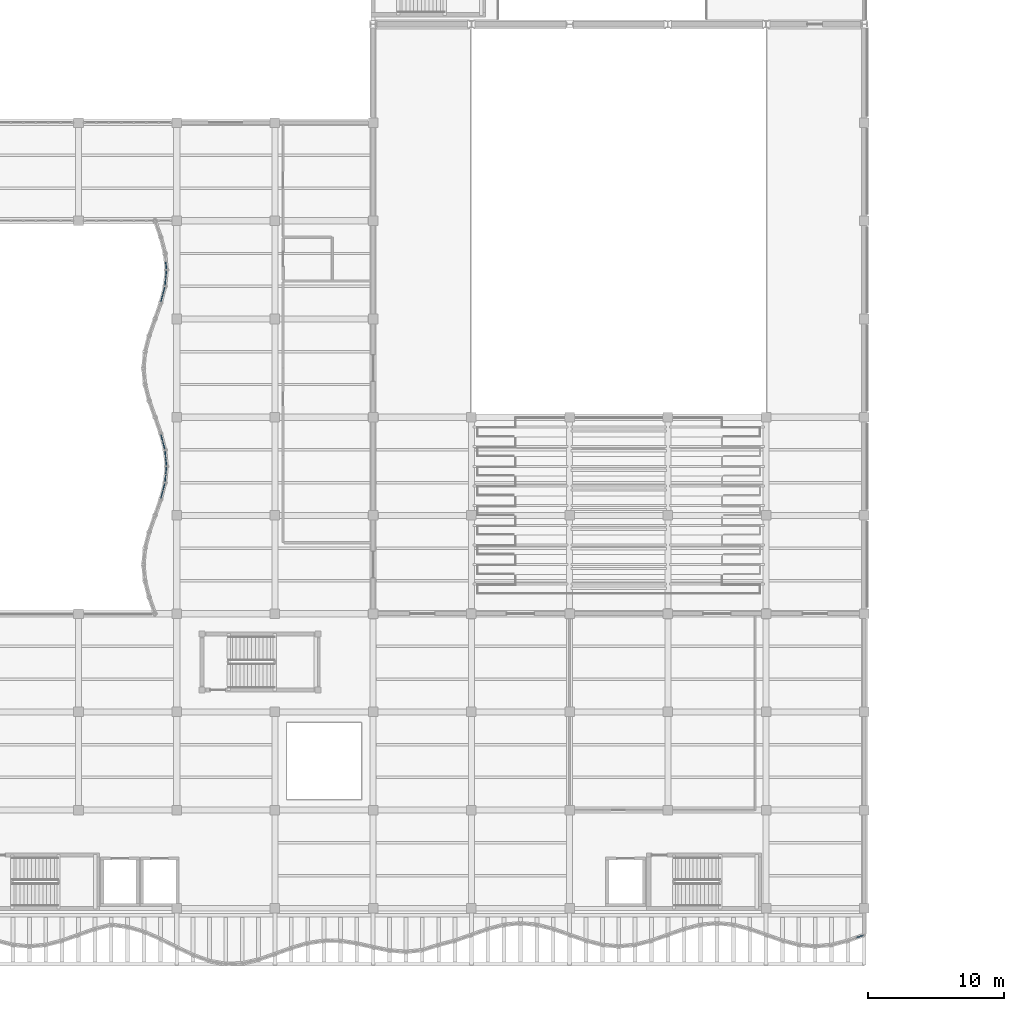
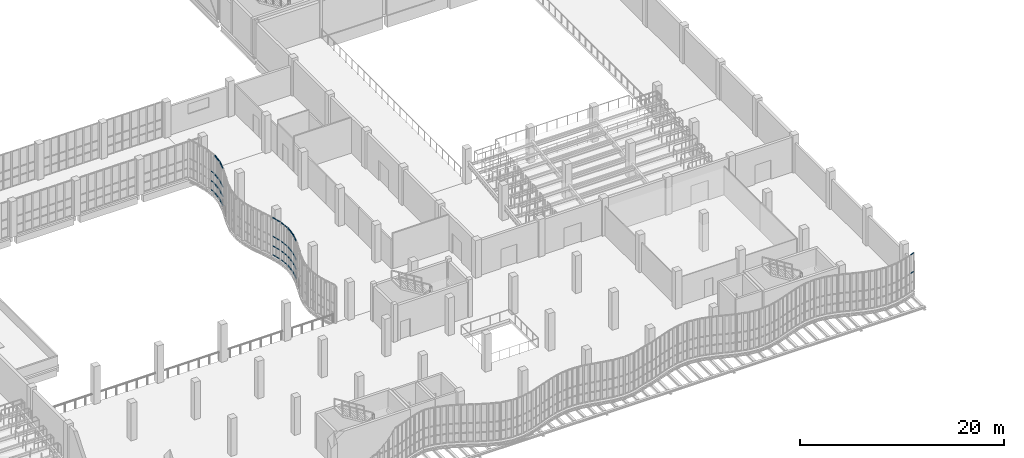
# One storey, part 64 of 108: 53 members, 8 elements without a shape of their own.
"""IFC4 building model written with IfcOpenShell, lengths in metres."""

from ifc_helpers import new_model, si_unit, direction, frame, origin, origin_2d, place, context, subcontext, project, spatial, hollow_rectangle, extrude, material, layer, layer_set, material_profile, profile_set, type_object, element, aggregate, save


model = new_model("IFC4")

# Units and contexts
model_context = context("Model", 3, precision=1e-05, world=origin(), true_north=direction((0.0, 1.0)))
body_context = subcontext(model_context, "Body", "Model", "MODEL_VIEW")
ifc_project = project(units=[si_unit("LENGTHUNIT", "METRE"), si_unit("AREAUNIT", "SQUARE_METRE"), si_unit("VOLUMEUNIT", "CUBIC_METRE"), si_unit("PLANEANGLEUNIT", "RADIAN"), si_unit("MASSUNIT", "GRAM", prefix="KILO"), si_unit("THERMODYNAMICTEMPERATUREUNIT", "KELVIN"), si_unit("POWERUNIT", "WATT")], contexts=[model_context])

# Site, building, storey
site_placement = place(None, origin())
site = spatial("IfcSite", under=ifc_project, at=site_placement, CompositionType="ELEMENT")
building_placement = place(site_placement, origin())
building = spatial("IfcBuilding", under=site, at=building_placement, Name="Kaldorven Railside Theatre", CompositionType="ELEMENT")
storey_placement = place(building_placement, frame((0.0, 0.0, 5.39990234375)))
storey = spatial("IfcBuildingStorey", under=building, at=storey_placement, Name="L01", CompositionType="ELEMENT", Elevation=5.39990234375)

# Curtain wall, members
ifc_material_1 = material(Name="Low-E laminated solar-control glass", Category="glass")
ifc_layer_1 = layer(ifc_material_1, 0.159912109375, Name="Low-E laminated solar-control glass")
ifc_layer_set_1 = layer_set([ifc_layer_1], Name="Low-E laminated solar-control glass")
curtain_wall_type_1 = type_object("IfcCurtainWallType", Name="CWT-01", PredefinedType="USERDEFINED", material=ifc_layer_set_1)
curtain_wall_1_placement = place(storey_placement, origin())
curtain_wall_1 = element("IfcCurtainWall", 1, at=curtain_wall_1_placement, inside=storey, type_object=curtain_wall_type_1, Name="Sinusoidal Fluted Curtain Wall CW-L01-S72", ObjectType="FLUTED GLAZING", PredefinedType="USERDEFINED")
ifc_material_2 = material(Name="Anodised bronze aluminium", Category="aluminium")
ifc_material_profile = material_profile(ifc_material_2, hollow_rectangle(XDim=0.06005859375, YDim=0.1201171875, WallThickness=0.0048828125, at=origin_2d()), Name="RHS 120x60x5")
ifc_profile_set = profile_set([ifc_material_profile], Name="Anodised bronze aluminium")
member_type = type_object("IfcMemberType", Name="CWT-120", PredefinedType="USERDEFINED", material=ifc_profile_set)
member_1_placement = place(storey_placement, frame((122.6376953125, 17.05078125, 2.25), z_axis=(0.942509408488, 0.334179614745, 0.0), x_axis=(-0.334179614745, 0.942509408488, 0.0)))
member_1 = element("IfcMember", 2, at=member_1_placement, type_object=member_type, Name="CW-L01-S72 transom 2.3", ObjectType="TRANSOM", PredefinedType="USERDEFINED", context=body_context, shape_type="SweptSolid", body=[
    extrude(hollow_rectangle(XDim=0.06005859375, YDim=0.1201171875, WallThickness=0.0048828125, at=origin_2d()), origin(), (0.0, 0.0, 1.0), 0.5166015625),
])
member_2_placement = place(storey_placement, frame((122.6376953125, 17.05078125, 4.47021484375), z_axis=(0.942509408488, 0.334179614745, 0.0), x_axis=(-0.334179614745, 0.942509408488, 0.0)))
member_2 = element("IfcMember", 3, at=member_2_placement, type_object=member_type, Name="CW-L01-S72 transom 2.4", ObjectType="TRANSOM", PredefinedType="USERDEFINED", context=body_context, shape_type="SweptSolid", body=[
    extrude(hollow_rectangle(XDim=0.06005859375, YDim=0.1201171875, WallThickness=0.0048828125, at=origin_2d()), origin(), (0.0, 0.0, 1.0), 0.5166015625),
])
aggregate(curtain_wall_1, [member_1, member_2])

ifc_layer_2 = layer(ifc_material_1, 0.159912109375, Name="Low-E laminated solar-control glass")
ifc_layer_set_2 = layer_set([ifc_layer_2], Name="Low-E laminated solar-control glass")
curtain_wall_type_2 = type_object("IfcCurtainWallType", Name="CWT-02", PredefinedType="USERDEFINED", material=ifc_layer_set_2)
curtain_wall_2_placement = place(storey_placement, origin())
curtain_wall_2 = element("IfcCurtainWall", 4, at=curtain_wall_2_placement, inside=storey, type_object=curtain_wall_type_2, Name="Sinusoidal Fluted Curtain Wall CW-L01-W08", ObjectType="FLUTED GLAZING", PredefinedType="USERDEFINED")
member_3_placement = place(storey_placement, frame((71.64501953125, 49.27734375, 0.030029296875), z_axis=(0.251029954561, 0.967979318949, 0.0), x_axis=(-0.967979318949, 0.251029954561, 0.0)))
member_3 = element("IfcMember", 5, at=member_3_placement, type_object=member_type, Name="CW-L01-W08 transom 1.1", ObjectType="TRANSOM", PredefinedType="USERDEFINED", context=body_context, shape_type="SweptSolid", body=[
    extrude(hollow_rectangle(XDim=0.06005859375, YDim=0.1201171875, WallThickness=0.0048828125, at=origin_2d()), origin(), (0.0, 0.0, 1.0), 0.5),
])
member_4_placement = place(storey_placement, frame((71.64501953125, 49.27734375, 1.10009765625), z_axis=(0.251029954561, 0.967979318949, 0.0), x_axis=(-0.967979318949, 0.251029954561, 0.0)))
member_4 = element("IfcMember", 6, at=member_4_placement, type_object=member_type, Name="CW-L01-W08 transom 1.2", ObjectType="TRANSOM", PredefinedType="USERDEFINED", context=body_context, shape_type="SweptSolid", body=[
    extrude(hollow_rectangle(XDim=0.06005859375, YDim=0.1201171875, WallThickness=0.0048828125, at=origin_2d()), origin(), (0.0, 0.0, 1.0), 0.5),
])
member_5_placement = place(storey_placement, frame((71.64501953125, 49.27734375, 2.25), z_axis=(0.251029954561, 0.967979318949, 0.0), x_axis=(-0.967979318949, 0.251029954561, 0.0)))
member_5 = element("IfcMember", 7, at=member_5_placement, type_object=member_type, Name="CW-L01-W08 transom 1.3", ObjectType="TRANSOM", PredefinedType="USERDEFINED", context=body_context, shape_type="SweptSolid", body=[
    extrude(hollow_rectangle(XDim=0.06005859375, YDim=0.1201171875, WallThickness=0.0048828125, at=origin_2d()), origin(), (0.0, 0.0, 1.0), 0.5),
])
member_6_placement = place(storey_placement, frame((71.64501953125, 49.27734375, 4.47021484375), z_axis=(0.251029954561, 0.967979318949, 0.0), x_axis=(-0.967979318949, 0.251029954561, 0.0)))
member_6 = element("IfcMember", 8, at=member_6_placement, type_object=member_type, Name="CW-L01-W08 transom 1.4", ObjectType="TRANSOM", PredefinedType="USERDEFINED", context=body_context, shape_type="SweptSolid", body=[
    extrude(hollow_rectangle(XDim=0.06005859375, YDim=0.1201171875, WallThickness=0.0048828125, at=origin_2d()), origin(), (0.0, 0.0, 1.0), 0.5),
])
member_7_placement = place(storey_placement, frame((71.79052734375, 49.838623046875, 0.030029296875), z_axis=(0.251029954561, 0.967979318949, 0.0), x_axis=(-0.967979318949, 0.251029954561, 0.0)))
member_7 = element("IfcMember", 9, at=member_7_placement, type_object=member_type, Name="CW-L01-W08 transom 2.1", ObjectType="TRANSOM", PredefinedType="USERDEFINED", context=body_context, shape_type="SweptSolid", body=[
    extrude(hollow_rectangle(XDim=0.06005859375, YDim=0.1201171875, WallThickness=0.0048828125, at=origin_2d()), origin(), (0.0, 0.0, 1.0), 0.5),
])
member_8_placement = place(storey_placement, frame((71.79052734375, 49.838623046875, 1.10009765625), z_axis=(0.251029954561, 0.967979318949, 0.0), x_axis=(-0.967979318949, 0.251029954561, 0.0)))
member_8 = element("IfcMember", 10, at=member_8_placement, type_object=member_type, Name="CW-L01-W08 transom 2.2", ObjectType="TRANSOM", PredefinedType="USERDEFINED", context=body_context, shape_type="SweptSolid", body=[
    extrude(hollow_rectangle(XDim=0.06005859375, YDim=0.1201171875, WallThickness=0.0048828125, at=origin_2d()), origin(), (0.0, 0.0, 1.0), 0.5),
])
member_9_placement = place(storey_placement, frame((71.79052734375, 49.838623046875, 2.25), z_axis=(0.251029954561, 0.967979318949, 0.0), x_axis=(-0.967979318949, 0.251029954561, 0.0)))
member_9 = element("IfcMember", 11, at=member_9_placement, type_object=member_type, Name="CW-L01-W08 transom 2.3", ObjectType="TRANSOM", PredefinedType="USERDEFINED", context=body_context, shape_type="SweptSolid", body=[
    extrude(hollow_rectangle(XDim=0.06005859375, YDim=0.1201171875, WallThickness=0.0048828125, at=origin_2d()), origin(), (0.0, 0.0, 1.0), 0.5),
])
member_10_placement = place(storey_placement, frame((71.79052734375, 49.838623046875, 4.47021484375), z_axis=(0.251029954561, 0.967979318949, 0.0), x_axis=(-0.967979318949, 0.251029954561, 0.0)))
member_10 = element("IfcMember", 12, at=member_10_placement, type_object=member_type, Name="CW-L01-W08 transom 2.4", ObjectType="TRANSOM", PredefinedType="USERDEFINED", context=body_context, shape_type="SweptSolid", body=[
    extrude(hollow_rectangle(XDim=0.06005859375, YDim=0.1201171875, WallThickness=0.0048828125, at=origin_2d()), origin(), (0.0, 0.0, 1.0), 0.5),
])
aggregate(curtain_wall_2, [member_3, member_4, member_5, member_6, member_7, member_8, member_9, member_10])

ifc_layer_3 = layer(ifc_material_1, 0.159912109375, Name="Low-E laminated solar-control glass")
ifc_layer_set_3 = layer_set([ifc_layer_3], Name="Low-E laminated solar-control glass")
curtain_wall_type_3 = type_object("IfcCurtainWallType", Name="CWT-03", PredefinedType="USERDEFINED", material=ifc_layer_set_3)
curtain_wall_3_placement = place(storey_placement, origin())
curtain_wall_3 = element("IfcCurtainWall", 13, at=curtain_wall_3_placement, inside=storey, type_object=curtain_wall_type_3, Name="Sinusoidal Fluted Curtain Wall CW-L01-W09", ObjectType="FLUTED GLAZING", PredefinedType="USERDEFINED")
member_11_placement = place(storey_placement, frame((71.943603515625, 50.479736328125, 0.030029296875), z_axis=(0.094594245591, 0.995515910823, 0.0), x_axis=(-0.995515910823, 0.094594245591, 0.0)))
member_11 = element("IfcMember", 14, at=member_11_placement, type_object=member_type, Name="CW-L01-W09 transom 1.1", ObjectType="TRANSOM", PredefinedType="USERDEFINED", context=body_context, shape_type="SweptSolid", body=[
    extrude(hollow_rectangle(XDim=0.06005859375, YDim=0.1201171875, WallThickness=0.0048828125, at=origin_2d()), origin(), (0.0, 0.0, 1.0), 0.482666015625),
])
member_12_placement = place(storey_placement, frame((71.943603515625, 50.479736328125, 1.10009765625), z_axis=(0.094594245591, 0.995515910823, 0.0), x_axis=(-0.995515910823, 0.094594245591, 0.0)))
member_12 = element("IfcMember", 15, at=member_12_placement, type_object=member_type, Name="CW-L01-W09 transom 1.2", ObjectType="TRANSOM", PredefinedType="USERDEFINED", context=body_context, shape_type="SweptSolid", body=[
    extrude(hollow_rectangle(XDim=0.06005859375, YDim=0.1201171875, WallThickness=0.0048828125, at=origin_2d()), origin(), (0.0, 0.0, 1.0), 0.482666015625),
])
member_13_placement = place(storey_placement, frame((71.943603515625, 50.479736328125, 2.25), z_axis=(0.094594245591, 0.995515910823, 0.0), x_axis=(-0.995515910823, 0.094594245591, 0.0)))
member_13 = element("IfcMember", 16, at=member_13_placement, type_object=member_type, Name="CW-L01-W09 transom 1.3", ObjectType="TRANSOM", PredefinedType="USERDEFINED", context=body_context, shape_type="SweptSolid", body=[
    extrude(hollow_rectangle(XDim=0.06005859375, YDim=0.1201171875, WallThickness=0.0048828125, at=origin_2d()), origin(), (0.0, 0.0, 1.0), 0.482666015625),
])
member_14_placement = place(storey_placement, frame((71.943603515625, 50.479736328125, 4.47021484375), z_axis=(0.094594245591, 0.995515910823, 0.0), x_axis=(-0.995515910823, 0.094594245591, 0.0)))
member_14 = element("IfcMember", 17, at=member_14_placement, type_object=member_type, Name="CW-L01-W09 transom 1.4", ObjectType="TRANSOM", PredefinedType="USERDEFINED", context=body_context, shape_type="SweptSolid", body=[
    extrude(hollow_rectangle(XDim=0.06005859375, YDim=0.1201171875, WallThickness=0.0048828125, at=origin_2d()), origin(), (0.0, 0.0, 1.0), 0.482666015625),
])
member_15_placement = place(storey_placement, frame((71.996826171875, 51.039794921875, 0.030029296875), z_axis=(0.094594245591, 0.995515910823, 0.0), x_axis=(-0.995515910823, 0.094594245591, 0.0)))
member_15 = element("IfcMember", 18, at=member_15_placement, type_object=member_type, Name="CW-L01-W09 transom 2.1", ObjectType="TRANSOM", PredefinedType="USERDEFINED", context=body_context, shape_type="SweptSolid", body=[
    extrude(hollow_rectangle(XDim=0.06005859375, YDim=0.1201171875, WallThickness=0.0048828125, at=origin_2d()), origin(), (0.0, 0.0, 1.0), 0.482666015625),
])
member_16_placement = place(storey_placement, frame((71.996826171875, 51.039794921875, 1.10009765625), z_axis=(0.094594245591, 0.995515910823, 0.0), x_axis=(-0.995515910823, 0.094594245591, 0.0)))
member_16 = element("IfcMember", 19, at=member_16_placement, type_object=member_type, Name="CW-L01-W09 transom 2.2", ObjectType="TRANSOM", PredefinedType="USERDEFINED", context=body_context, shape_type="SweptSolid", body=[
    extrude(hollow_rectangle(XDim=0.06005859375, YDim=0.1201171875, WallThickness=0.0048828125, at=origin_2d()), origin(), (0.0, 0.0, 1.0), 0.482666015625),
])
member_17_placement = place(storey_placement, frame((71.996826171875, 51.039794921875, 2.25), z_axis=(0.094594245591, 0.995515910823, 0.0), x_axis=(-0.995515910823, 0.094594245591, 0.0)))
member_17 = element("IfcMember", 20, at=member_17_placement, type_object=member_type, Name="CW-L01-W09 transom 2.3", ObjectType="TRANSOM", PredefinedType="USERDEFINED", context=body_context, shape_type="SweptSolid", body=[
    extrude(hollow_rectangle(XDim=0.06005859375, YDim=0.1201171875, WallThickness=0.0048828125, at=origin_2d()), origin(), (0.0, 0.0, 1.0), 0.482666015625),
])
member_18_placement = place(storey_placement, frame((71.996826171875, 51.039794921875, 4.47021484375), z_axis=(0.094594245591, 0.995515910823, 0.0), x_axis=(-0.995515910823, 0.094594245591, 0.0)))
member_18 = element("IfcMember", 21, at=member_18_placement, type_object=member_type, Name="CW-L01-W09 transom 2.4", ObjectType="TRANSOM", PredefinedType="USERDEFINED", context=body_context, shape_type="SweptSolid", body=[
    extrude(hollow_rectangle(XDim=0.06005859375, YDim=0.1201171875, WallThickness=0.0048828125, at=origin_2d()), origin(), (0.0, 0.0, 1.0), 0.482666015625),
])
aggregate(curtain_wall_3, [member_11, member_12, member_13, member_14, member_15, member_16, member_17, member_18])

curtain_wall_4_placement = place(storey_placement, origin())
curtain_wall_4 = element("IfcCurtainWall", 22, at=curtain_wall_4_placement, inside=storey, type_object=curtain_wall_type_3, Name="Sinusoidal Fluted Curtain Wall CW-L01-W10", ObjectType="FLUTED GLAZING", PredefinedType="USERDEFINED")
member_19_placement = place(storey_placement, frame((72.04248046875, 51.6796875, 0.030029296875), z_axis=(-0.094594245591, 0.995515910823, 0.0), x_axis=(-0.995515910823, -0.094594245591, 0.0)))
member_19 = element("IfcMember", 23, at=member_19_placement, type_object=member_type, Name="CW-L01-W10 transom 1.1", ObjectType="TRANSOM", PredefinedType="USERDEFINED", context=body_context, shape_type="SweptSolid", body=[
    extrude(hollow_rectangle(XDim=0.06005859375, YDim=0.1201171875, WallThickness=0.0048828125, at=origin_2d()), origin(), (0.0, 0.0, 1.0), 0.482666015625),
])
member_20_placement = place(storey_placement, frame((72.04248046875, 51.6796875, 1.10009765625), z_axis=(-0.094594245591, 0.995515910823, 0.0), x_axis=(-0.995515910823, -0.094594245591, 0.0)))
member_20 = element("IfcMember", 24, at=member_20_placement, type_object=member_type, Name="CW-L01-W10 transom 1.2", ObjectType="TRANSOM", PredefinedType="USERDEFINED", context=body_context, shape_type="SweptSolid", body=[
    extrude(hollow_rectangle(XDim=0.06005859375, YDim=0.1201171875, WallThickness=0.0048828125, at=origin_2d()), origin(), (0.0, 0.0, 1.0), 0.482666015625),
])
member_21_placement = place(storey_placement, frame((72.04248046875, 51.6796875, 2.25), z_axis=(-0.094594245591, 0.995515910823, 0.0), x_axis=(-0.995515910823, -0.094594245591, 0.0)))
member_21 = element("IfcMember", 25, at=member_21_placement, type_object=member_type, Name="CW-L01-W10 transom 1.3", ObjectType="TRANSOM", PredefinedType="USERDEFINED", context=body_context, shape_type="SweptSolid", body=[
    extrude(hollow_rectangle(XDim=0.06005859375, YDim=0.1201171875, WallThickness=0.0048828125, at=origin_2d()), origin(), (0.0, 0.0, 1.0), 0.482666015625),
])
member_22_placement = place(storey_placement, frame((72.04248046875, 51.6796875, 4.47021484375), z_axis=(-0.094594245591, 0.995515910823, 0.0), x_axis=(-0.995515910823, -0.094594245591, 0.0)))
member_22 = element("IfcMember", 26, at=member_22_placement, type_object=member_type, Name="CW-L01-W10 transom 1.4", ObjectType="TRANSOM", PredefinedType="USERDEFINED", context=body_context, shape_type="SweptSolid", body=[
    extrude(hollow_rectangle(XDim=0.06005859375, YDim=0.1201171875, WallThickness=0.0048828125, at=origin_2d()), origin(), (0.0, 0.0, 1.0), 0.482666015625),
])
member_23_placement = place(storey_placement, frame((71.9892578125, 52.23974609375, 0.030029296875), z_axis=(-0.094546633378, 0.995520433802, 0.0), x_axis=(-0.995520433802, -0.094546633378, 0.0)))
member_23 = element("IfcMember", 27, at=member_23_placement, type_object=member_type, Name="CW-L01-W10 transom 2.1", ObjectType="TRANSOM", PredefinedType="USERDEFINED", context=body_context, shape_type="SweptSolid", body=[
    extrude(hollow_rectangle(XDim=0.06005859375, YDim=0.1201171875, WallThickness=0.0048828125, at=origin_2d()), origin(), (0.0, 0.0, 1.0), 0.48291015625),
])
member_24_placement = place(storey_placement, frame((71.9892578125, 52.23974609375, 1.10009765625), z_axis=(-0.094546633378, 0.995520433802, 0.0), x_axis=(-0.995520433802, -0.094546633378, 0.0)))
member_24 = element("IfcMember", 28, at=member_24_placement, type_object=member_type, Name="CW-L01-W10 transom 2.2", ObjectType="TRANSOM", PredefinedType="USERDEFINED", context=body_context, shape_type="SweptSolid", body=[
    extrude(hollow_rectangle(XDim=0.06005859375, YDim=0.1201171875, WallThickness=0.0048828125, at=origin_2d()), origin(), (0.0, 0.0, 1.0), 0.48291015625),
])
member_25_placement = place(storey_placement, frame((71.9892578125, 52.23974609375, 2.25), z_axis=(-0.094546633378, 0.995520433802, 0.0), x_axis=(-0.995520433802, -0.094546633378, 0.0)))
member_25 = element("IfcMember", 29, at=member_25_placement, type_object=member_type, Name="CW-L01-W10 transom 2.3", ObjectType="TRANSOM", PredefinedType="USERDEFINED", context=body_context, shape_type="SweptSolid", body=[
    extrude(hollow_rectangle(XDim=0.06005859375, YDim=0.1201171875, WallThickness=0.0048828125, at=origin_2d()), origin(), (0.0, 0.0, 1.0), 0.48291015625),
])
member_26_placement = place(storey_placement, frame((71.9892578125, 52.23974609375, 4.47021484375), z_axis=(-0.094546633378, 0.995520433802, 0.0), x_axis=(-0.995520433802, -0.094546633378, 0.0)))
member_26 = element("IfcMember", 30, at=member_26_placement, type_object=member_type, Name="CW-L01-W10 transom 2.4", ObjectType="TRANSOM", PredefinedType="USERDEFINED", context=body_context, shape_type="SweptSolid", body=[
    extrude(hollow_rectangle(XDim=0.06005859375, YDim=0.1201171875, WallThickness=0.0048828125, at=origin_2d()), origin(), (0.0, 0.0, 1.0), 0.48291015625),
])
aggregate(curtain_wall_4, [member_19, member_20, member_21, member_22, member_23, member_24, member_25, member_26])

curtain_wall_5_placement = place(storey_placement, origin())
curtain_wall_5 = element("IfcCurtainWall", 31, at=curtain_wall_5_placement, inside=storey, type_object=curtain_wall_type_2, Name="Sinusoidal Fluted Curtain Wall CW-L01-W11", ObjectType="FLUTED GLAZING", PredefinedType="USERDEFINED")
member_27_placement = place(storey_placement, frame((71.916015625, 52.87744140625, 0.030029296875), z_axis=(-0.251029954561, 0.967979318949, 0.0), x_axis=(-0.967979318949, -0.251029954561, 0.0)))
member_27 = element("IfcMember", 32, at=member_27_placement, type_object=member_type, Name="CW-L01-W11 transom 1.1", ObjectType="TRANSOM", PredefinedType="USERDEFINED", context=body_context, shape_type="SweptSolid", body=[
    extrude(hollow_rectangle(XDim=0.06005859375, YDim=0.1201171875, WallThickness=0.0048828125, at=origin_2d()), origin(), (0.0, 0.0, 1.0), 0.5),
])
member_28_placement = place(storey_placement, frame((71.916015625, 52.87744140625, 1.10009765625), z_axis=(-0.251029954561, 0.967979318949, 0.0), x_axis=(-0.967979318949, -0.251029954561, 0.0)))
member_28 = element("IfcMember", 33, at=member_28_placement, type_object=member_type, Name="CW-L01-W11 transom 1.2", ObjectType="TRANSOM", PredefinedType="USERDEFINED", context=body_context, shape_type="SweptSolid", body=[
    extrude(hollow_rectangle(XDim=0.06005859375, YDim=0.1201171875, WallThickness=0.0048828125, at=origin_2d()), origin(), (0.0, 0.0, 1.0), 0.5),
])
member_29_placement = place(storey_placement, frame((71.916015625, 52.87744140625, 2.25), z_axis=(-0.251029954561, 0.967979318949, 0.0), x_axis=(-0.967979318949, -0.251029954561, 0.0)))
member_29 = element("IfcMember", 34, at=member_29_placement, type_object=member_type, Name="CW-L01-W11 transom 1.3", ObjectType="TRANSOM", PredefinedType="USERDEFINED", context=body_context, shape_type="SweptSolid", body=[
    extrude(hollow_rectangle(XDim=0.06005859375, YDim=0.1201171875, WallThickness=0.0048828125, at=origin_2d()), origin(), (0.0, 0.0, 1.0), 0.5),
])
member_30_placement = place(storey_placement, frame((71.916015625, 52.87744140625, 4.47021484375), z_axis=(-0.251029954561, 0.967979318949, 0.0), x_axis=(-0.967979318949, -0.251029954561, 0.0)))
member_30 = element("IfcMember", 35, at=member_30_placement, type_object=member_type, Name="CW-L01-W11 transom 1.4", ObjectType="TRANSOM", PredefinedType="USERDEFINED", context=body_context, shape_type="SweptSolid", body=[
    extrude(hollow_rectangle(XDim=0.06005859375, YDim=0.1201171875, WallThickness=0.0048828125, at=origin_2d()), origin(), (0.0, 0.0, 1.0), 0.5),
])
member_31_placement = place(storey_placement, frame((71.7705078125, 53.438720703125, 0.030029296875), z_axis=(-0.251029954561, 0.967979318949, 0.0), x_axis=(-0.967979318949, -0.251029954561, 0.0)))
member_31 = element("IfcMember", 36, at=member_31_placement, type_object=member_type, Name="CW-L01-W11 transom 2.1", ObjectType="TRANSOM", PredefinedType="USERDEFINED", context=body_context, shape_type="SweptSolid", body=[
    extrude(hollow_rectangle(XDim=0.06005859375, YDim=0.1201171875, WallThickness=0.0048828125, at=origin_2d()), origin(), (0.0, 0.0, 1.0), 0.5),
])
member_32_placement = place(storey_placement, frame((71.7705078125, 53.438720703125, 1.10009765625), z_axis=(-0.251029954561, 0.967979318949, 0.0), x_axis=(-0.967979318949, -0.251029954561, 0.0)))
member_32 = element("IfcMember", 37, at=member_32_placement, type_object=member_type, Name="CW-L01-W11 transom 2.2", ObjectType="TRANSOM", PredefinedType="USERDEFINED", context=body_context, shape_type="SweptSolid", body=[
    extrude(hollow_rectangle(XDim=0.06005859375, YDim=0.1201171875, WallThickness=0.0048828125, at=origin_2d()), origin(), (0.0, 0.0, 1.0), 0.5),
])
member_33_placement = place(storey_placement, frame((71.7705078125, 53.438720703125, 2.25), z_axis=(-0.251029954561, 0.967979318949, 0.0), x_axis=(-0.967979318949, -0.251029954561, 0.0)))
member_33 = element("IfcMember", 38, at=member_33_placement, type_object=member_type, Name="CW-L01-W11 transom 2.3", ObjectType="TRANSOM", PredefinedType="USERDEFINED", context=body_context, shape_type="SweptSolid", body=[
    extrude(hollow_rectangle(XDim=0.06005859375, YDim=0.1201171875, WallThickness=0.0048828125, at=origin_2d()), origin(), (0.0, 0.0, 1.0), 0.5),
])
member_34_placement = place(storey_placement, frame((71.7705078125, 53.438720703125, 4.47021484375), z_axis=(-0.251029954561, 0.967979318949, 0.0), x_axis=(-0.967979318949, -0.251029954561, 0.0)))
member_34 = element("IfcMember", 39, at=member_34_placement, type_object=member_type, Name="CW-L01-W11 transom 2.4", ObjectType="TRANSOM", PredefinedType="USERDEFINED", context=body_context, shape_type="SweptSolid", body=[
    extrude(hollow_rectangle(XDim=0.06005859375, YDim=0.1201171875, WallThickness=0.0048828125, at=origin_2d()), origin(), (0.0, 0.0, 1.0), 0.5),
])
aggregate(curtain_wall_5, [member_27, member_28, member_29, member_30, member_31, member_32, member_33, member_34])

curtain_wall_6_placement = place(storey_placement, origin())
curtain_wall_6 = element("IfcCurtainWall", 40, at=curtain_wall_6_placement, inside=storey, type_object=curtain_wall_type_2, Name="Sinusoidal Fluted Curtain Wall CW-L01-W20", ObjectType="FLUTED GLAZING", PredefinedType="USERDEFINED")
member_35_placement = place(storey_placement, frame((71.64501953125, 63.677490234375, 0.030029296875), z_axis=(0.251029954561, 0.967979318949, 0.0), x_axis=(-0.967979318949, 0.251029954561, 0.0)))
member_35 = element("IfcMember", 41, at=member_35_placement, type_object=member_type, Name="CW-L01-W20 transom 1.1", ObjectType="TRANSOM", PredefinedType="USERDEFINED", context=body_context, shape_type="SweptSolid", body=[
    extrude(hollow_rectangle(XDim=0.06005859375, YDim=0.1201171875, WallThickness=0.0048828125, at=origin_2d()), origin(), (0.0, 0.0, 1.0), 0.5),
])
member_36_placement = place(storey_placement, frame((71.64501953125, 63.677490234375, 1.10009765625), z_axis=(0.251029954561, 0.967979318949, 0.0), x_axis=(-0.967979318949, 0.251029954561, 0.0)))
member_36 = element("IfcMember", 42, at=member_36_placement, type_object=member_type, Name="CW-L01-W20 transom 1.2", ObjectType="TRANSOM", PredefinedType="USERDEFINED", context=body_context, shape_type="SweptSolid", body=[
    extrude(hollow_rectangle(XDim=0.06005859375, YDim=0.1201171875, WallThickness=0.0048828125, at=origin_2d()), origin(), (0.0, 0.0, 1.0), 0.5),
])
member_37_placement = place(storey_placement, frame((71.64501953125, 63.677490234375, 2.25), z_axis=(0.251029954561, 0.967979318949, 0.0), x_axis=(-0.967979318949, 0.251029954561, 0.0)))
member_37 = element("IfcMember", 43, at=member_37_placement, type_object=member_type, Name="CW-L01-W20 transom 1.3", ObjectType="TRANSOM", PredefinedType="USERDEFINED", context=body_context, shape_type="SweptSolid", body=[
    extrude(hollow_rectangle(XDim=0.06005859375, YDim=0.1201171875, WallThickness=0.0048828125, at=origin_2d()), origin(), (0.0, 0.0, 1.0), 0.5),
])
member_38_placement = place(storey_placement, frame((71.64501953125, 63.677490234375, 4.47021484375), z_axis=(0.251029954561, 0.967979318949, 0.0), x_axis=(-0.967979318949, 0.251029954561, 0.0)))
member_38 = element("IfcMember", 44, at=member_38_placement, type_object=member_type, Name="CW-L01-W20 transom 1.4", ObjectType="TRANSOM", PredefinedType="USERDEFINED", context=body_context, shape_type="SweptSolid", body=[
    extrude(hollow_rectangle(XDim=0.06005859375, YDim=0.1201171875, WallThickness=0.0048828125, at=origin_2d()), origin(), (0.0, 0.0, 1.0), 0.5),
])
member_39_placement = place(storey_placement, frame((71.79052734375, 64.23876953125, 0.030029296875), z_axis=(0.251029954561, 0.967979318949, 0.0), x_axis=(-0.967979318949, 0.251029954561, 0.0)))
member_39 = element("IfcMember", 45, at=member_39_placement, type_object=member_type, Name="CW-L01-W20 transom 2.1", ObjectType="TRANSOM", PredefinedType="USERDEFINED", context=body_context, shape_type="SweptSolid", body=[
    extrude(hollow_rectangle(XDim=0.06005859375, YDim=0.1201171875, WallThickness=0.0048828125, at=origin_2d()), origin(), (0.0, 0.0, 1.0), 0.5),
])
member_40_placement = place(storey_placement, frame((71.79052734375, 64.23876953125, 1.10009765625), z_axis=(0.251029954561, 0.967979318949, 0.0), x_axis=(-0.967979318949, 0.251029954561, 0.0)))
member_40 = element("IfcMember", 46, at=member_40_placement, type_object=member_type, Name="CW-L01-W20 transom 2.2", ObjectType="TRANSOM", PredefinedType="USERDEFINED", context=body_context, shape_type="SweptSolid", body=[
    extrude(hollow_rectangle(XDim=0.06005859375, YDim=0.1201171875, WallThickness=0.0048828125, at=origin_2d()), origin(), (0.0, 0.0, 1.0), 0.5),
])
member_41_placement = place(storey_placement, frame((71.79052734375, 64.23876953125, 2.25), z_axis=(0.251029954561, 0.967979318949, 0.0), x_axis=(-0.967979318949, 0.251029954561, 0.0)))
member_41 = element("IfcMember", 47, at=member_41_placement, type_object=member_type, Name="CW-L01-W20 transom 2.3", ObjectType="TRANSOM", PredefinedType="USERDEFINED", context=body_context, shape_type="SweptSolid", body=[
    extrude(hollow_rectangle(XDim=0.06005859375, YDim=0.1201171875, WallThickness=0.0048828125, at=origin_2d()), origin(), (0.0, 0.0, 1.0), 0.5),
])
member_42_placement = place(storey_placement, frame((71.79052734375, 64.23876953125, 4.47021484375), z_axis=(0.251029954561, 0.967979318949, 0.0), x_axis=(-0.967979318949, 0.251029954561, 0.0)))
member_42 = element("IfcMember", 48, at=member_42_placement, type_object=member_type, Name="CW-L01-W20 transom 2.4", ObjectType="TRANSOM", PredefinedType="USERDEFINED", context=body_context, shape_type="SweptSolid", body=[
    extrude(hollow_rectangle(XDim=0.06005859375, YDim=0.1201171875, WallThickness=0.0048828125, at=origin_2d()), origin(), (0.0, 0.0, 1.0), 0.5),
])
aggregate(curtain_wall_6, [member_35, member_36, member_37, member_38, member_39, member_40, member_41, member_42])

curtain_wall_7_placement = place(storey_placement, origin())
curtain_wall_7 = element("IfcCurtainWall", 49, at=curtain_wall_7_placement, inside=storey, type_object=curtain_wall_type_3, Name="Sinusoidal Fluted Curtain Wall CW-L01-W21", ObjectType="FLUTED GLAZING", PredefinedType="USERDEFINED")
member_43_placement = place(storey_placement, frame((71.943603515625, 64.879638671875, 0.030029296875), z_axis=(0.094594245591, 0.995515910823, 0.0), x_axis=(-0.995515910823, 0.094594245591, 0.0)))
member_43 = element("IfcMember", 50, at=member_43_placement, type_object=member_type, Name="CW-L01-W21 transom 1.1", ObjectType="TRANSOM", PredefinedType="USERDEFINED", context=body_context, shape_type="SweptSolid", body=[
    extrude(hollow_rectangle(XDim=0.06005859375, YDim=0.1201171875, WallThickness=0.0048828125, at=origin_2d()), origin(), (0.0, 0.0, 1.0), 0.482666015625),
])
member_44_placement = place(storey_placement, frame((71.943603515625, 64.879638671875, 1.10009765625), z_axis=(0.094594245591, 0.995515910823, 0.0), x_axis=(-0.995515910823, 0.094594245591, 0.0)))
member_44 = element("IfcMember", 51, at=member_44_placement, type_object=member_type, Name="CW-L01-W21 transom 1.2", ObjectType="TRANSOM", PredefinedType="USERDEFINED", context=body_context, shape_type="SweptSolid", body=[
    extrude(hollow_rectangle(XDim=0.06005859375, YDim=0.1201171875, WallThickness=0.0048828125, at=origin_2d()), origin(), (0.0, 0.0, 1.0), 0.482666015625),
])
member_45_placement = place(storey_placement, frame((71.943603515625, 64.879638671875, 2.25), z_axis=(0.094594245591, 0.995515910823, 0.0), x_axis=(-0.995515910823, 0.094594245591, 0.0)))
member_45 = element("IfcMember", 52, at=member_45_placement, type_object=member_type, Name="CW-L01-W21 transom 1.3", ObjectType="TRANSOM", PredefinedType="USERDEFINED", context=body_context, shape_type="SweptSolid", body=[
    extrude(hollow_rectangle(XDim=0.06005859375, YDim=0.1201171875, WallThickness=0.0048828125, at=origin_2d()), origin(), (0.0, 0.0, 1.0), 0.482666015625),
])
member_46_placement = place(storey_placement, frame((71.943603515625, 64.879638671875, 4.47021484375), z_axis=(0.094594245591, 0.995515910823, 0.0), x_axis=(-0.995515910823, 0.094594245591, 0.0)))
member_46 = element("IfcMember", 53, at=member_46_placement, type_object=member_type, Name="CW-L01-W21 transom 1.4", ObjectType="TRANSOM", PredefinedType="USERDEFINED", context=body_context, shape_type="SweptSolid", body=[
    extrude(hollow_rectangle(XDim=0.06005859375, YDim=0.1201171875, WallThickness=0.0048828125, at=origin_2d()), origin(), (0.0, 0.0, 1.0), 0.482666015625),
])
member_47_placement = place(storey_placement, frame((71.996826171875, 65.43994140625, 0.030029296875), z_axis=(0.094594245591, 0.995515910823, 0.0), x_axis=(-0.995515910823, 0.094594245591, 0.0)))
member_47 = element("IfcMember", 54, at=member_47_placement, type_object=member_type, Name="CW-L01-W21 transom 2.1", ObjectType="TRANSOM", PredefinedType="USERDEFINED", context=body_context, shape_type="SweptSolid", body=[
    extrude(hollow_rectangle(XDim=0.06005859375, YDim=0.1201171875, WallThickness=0.0048828125, at=origin_2d()), origin(), (0.0, 0.0, 1.0), 0.482666015625),
])
member_48_placement = place(storey_placement, frame((71.996826171875, 65.43994140625, 1.10009765625), z_axis=(0.094594245591, 0.995515910823, 0.0), x_axis=(-0.995515910823, 0.094594245591, 0.0)))
member_48 = element("IfcMember", 55, at=member_48_placement, type_object=member_type, Name="CW-L01-W21 transom 2.2", ObjectType="TRANSOM", PredefinedType="USERDEFINED", context=body_context, shape_type="SweptSolid", body=[
    extrude(hollow_rectangle(XDim=0.06005859375, YDim=0.1201171875, WallThickness=0.0048828125, at=origin_2d()), origin(), (0.0, 0.0, 1.0), 0.482666015625),
])
member_49_placement = place(storey_placement, frame((71.996826171875, 65.43994140625, 2.25), z_axis=(0.094594245591, 0.995515910823, 0.0), x_axis=(-0.995515910823, 0.094594245591, 0.0)))
member_49 = element("IfcMember", 56, at=member_49_placement, type_object=member_type, Name="CW-L01-W21 transom 2.3", ObjectType="TRANSOM", PredefinedType="USERDEFINED", context=body_context, shape_type="SweptSolid", body=[
    extrude(hollow_rectangle(XDim=0.06005859375, YDim=0.1201171875, WallThickness=0.0048828125, at=origin_2d()), origin(), (0.0, 0.0, 1.0), 0.482666015625),
])
member_50_placement = place(storey_placement, frame((71.996826171875, 65.43994140625, 4.47021484375), z_axis=(0.094594245591, 0.995515910823, 0.0), x_axis=(-0.995515910823, 0.094594245591, 0.0)))
member_50 = element("IfcMember", 57, at=member_50_placement, type_object=member_type, Name="CW-L01-W21 transom 2.4", ObjectType="TRANSOM", PredefinedType="USERDEFINED", context=body_context, shape_type="SweptSolid", body=[
    extrude(hollow_rectangle(XDim=0.06005859375, YDim=0.1201171875, WallThickness=0.0048828125, at=origin_2d()), origin(), (0.0, 0.0, 1.0), 0.482666015625),
])
aggregate(curtain_wall_7, [member_43, member_44, member_45, member_46, member_47, member_48, member_49, member_50])

curtain_wall_8_placement = place(storey_placement, origin())
curtain_wall_8 = element("IfcCurtainWall", 58, at=curtain_wall_8_placement, inside=storey, type_object=curtain_wall_type_3, Name="Sinusoidal Fluted Curtain Wall CW-L01-W22", ObjectType="FLUTED GLAZING", PredefinedType="USERDEFINED")
member_51_placement = place(storey_placement, frame((72.04248046875, 66.07958984375, 0.030029296875), z_axis=(-0.094594245591, 0.995515910823, 0.0), x_axis=(-0.995515910823, -0.094594245591, 0.0)))
member_51 = element("IfcMember", 59, at=member_51_placement, type_object=member_type, Name="CW-L01-W22 transom 1.1", ObjectType="TRANSOM", PredefinedType="USERDEFINED", context=body_context, shape_type="SweptSolid", body=[
    extrude(hollow_rectangle(XDim=0.06005859375, YDim=0.1201171875, WallThickness=0.0048828125, at=origin_2d()), origin(), (0.0, 0.0, 1.0), 0.482666015625),
])
member_52_placement = place(storey_placement, frame((72.04248046875, 66.07958984375, 1.10009765625), z_axis=(-0.094594245591, 0.995515910823, 0.0), x_axis=(-0.995515910823, -0.094594245591, 0.0)))
member_52 = element("IfcMember", 60, at=member_52_placement, type_object=member_type, Name="CW-L01-W22 transom 1.2", ObjectType="TRANSOM", PredefinedType="USERDEFINED", context=body_context, shape_type="SweptSolid", body=[
    extrude(hollow_rectangle(XDim=0.06005859375, YDim=0.1201171875, WallThickness=0.0048828125, at=origin_2d()), origin(), (0.0, 0.0, 1.0), 0.482666015625),
])
member_53_placement = place(storey_placement, frame((72.04248046875, 66.07958984375, 2.25), z_axis=(-0.094594245591, 0.995515910823, 0.0), x_axis=(-0.995515910823, -0.094594245591, 0.0)))
member_53 = element("IfcMember", 61, at=member_53_placement, type_object=member_type, Name="CW-L01-W22 transom 1.3", ObjectType="TRANSOM", PredefinedType="USERDEFINED", context=body_context, shape_type="SweptSolid", body=[
    extrude(hollow_rectangle(XDim=0.06005859375, YDim=0.1201171875, WallThickness=0.0048828125, at=origin_2d()), origin(), (0.0, 0.0, 1.0), 0.482666015625),
])
aggregate(curtain_wall_8, [member_51, member_52, member_53])

save(model, "model.ifc")
